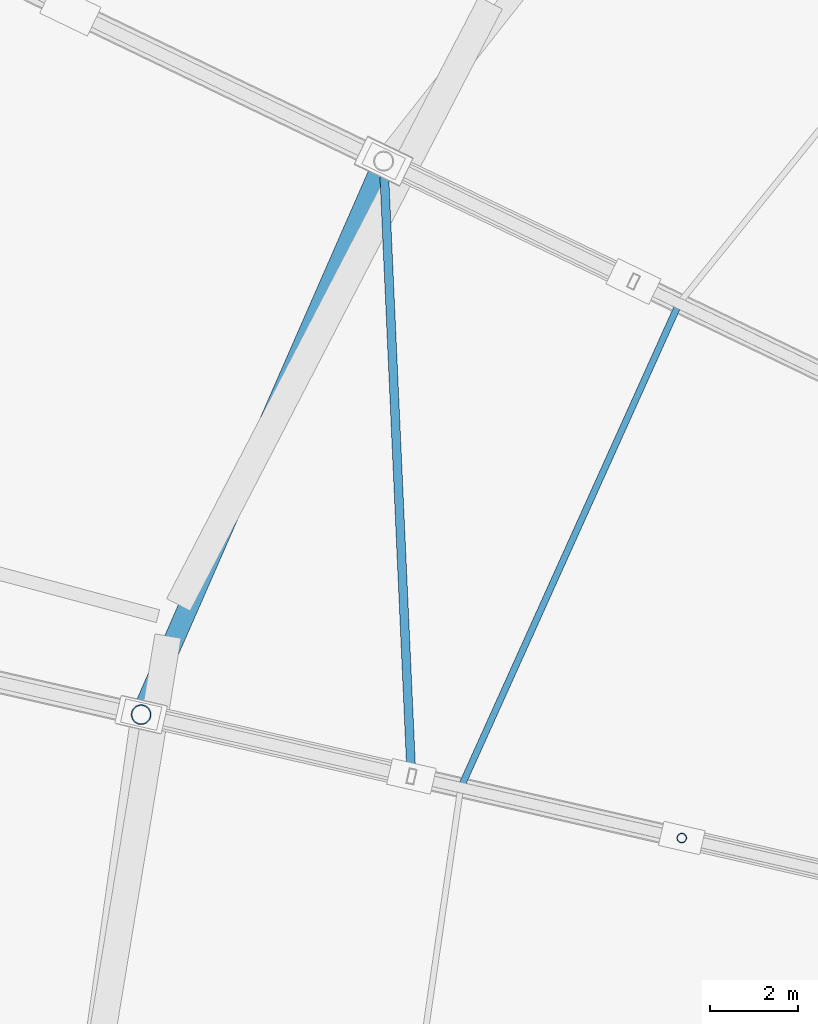
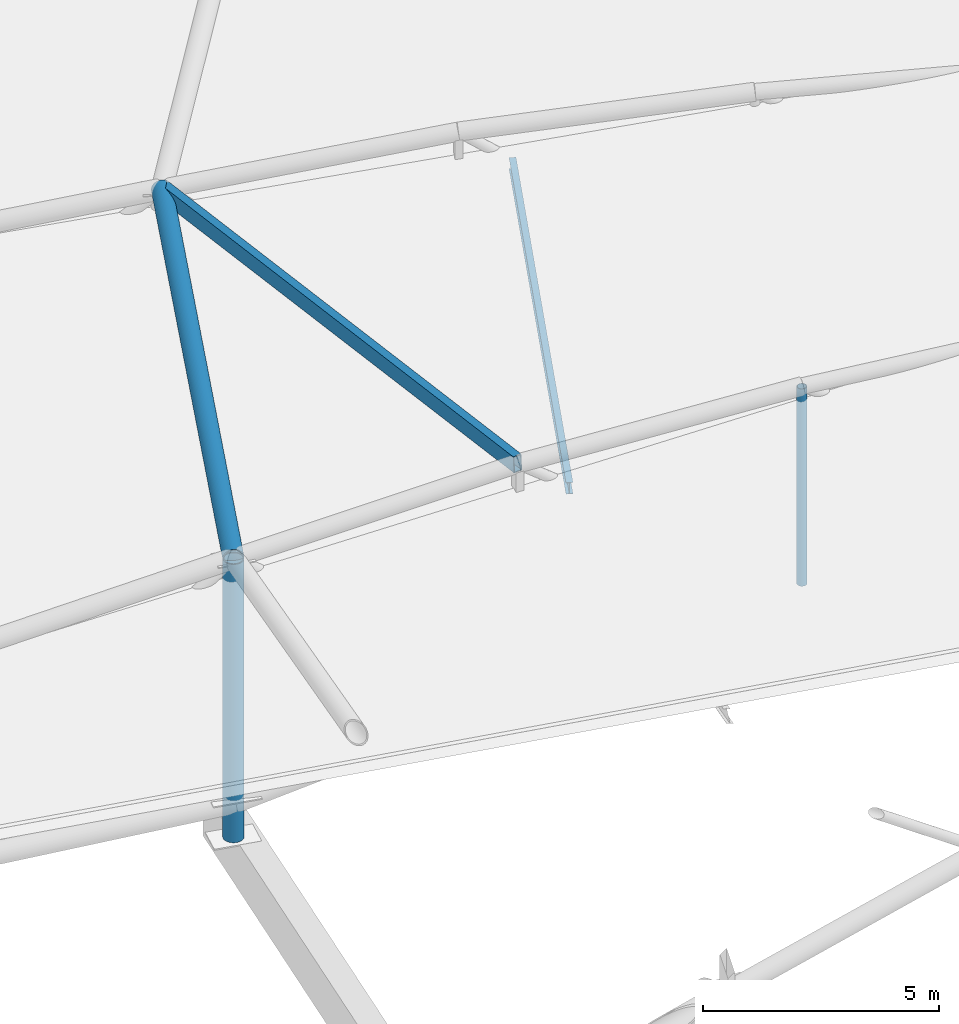
# One storey, part 32 of 108: 5 members.
"""IFC4 building model written with IfcOpenShell, lengths in metres."""

from ifc_helpers import new_model, si_unit, direction, frame, origin, origin_2d, place, context, subcontext, project, spatial, hollow_rectangle, hollow_circle, i_section, extrude, material, material_profile, profile_set, type_object, element, save


model = new_model("IFC4")

# Units and contexts
model_context = context("Model", 3, precision=1e-05, world=origin(), true_north=direction((0.0, 1.0)))
body_context = subcontext(model_context, "Body", "Model", "MODEL_VIEW")
ifc_project = project(units=[si_unit("LENGTHUNIT", "METRE"), si_unit("AREAUNIT", "SQUARE_METRE"), si_unit("VOLUMEUNIT", "CUBIC_METRE"), si_unit("PLANEANGLEUNIT", "RADIAN"), si_unit("MASSUNIT", "GRAM", prefix="KILO")], contexts=[model_context])

# Site, building, storey
site_placement = place(None, origin())
site = spatial("IfcSite", under=ifc_project, at=site_placement, CompositionType="ELEMENT")
building_placement = place(site_placement, origin())
building = spatial("IfcBuilding", under=site, at=building_placement, Name="Zevraka Park Crest Stadium", CompositionType="ELEMENT")
storey_placement = place(building_placement, frame((0.0, 0.0, 29.39990234375)))
storey = spatial("IfcBuildingStorey", under=building, at=storey_placement, Name="RF", CompositionType="ELEMENT", Elevation=29.39990234375)

# Members
ifc_material_1 = material(Name="Steel S355", Category="steel")
ifc_material_profile_1 = material_profile(ifc_material_1, i_section(OverallWidth=0.14990234375, OverallDepth=0.300048828125, WebThickness=0.007080078125, FlangeThickness=0.0107421875, at=origin_2d()), Name="IPE 300")
ifc_profile_set_1 = profile_set([ifc_material_profile_1], Name="Steel S355")
member_type_1 = type_object("IfcMemberType", Name="PR02", PredefinedType="PURLIN", material=ifc_profile_set_1)
member_1_placement = place(storey_placement, frame((51.589111328125, 114.583984375, 7.47314453125), z_axis=(-0.410939963153, -0.911662408287, 0.0), x_axis=(0.911662408287, -0.410939963153, 0.0)))
element("IfcMember", 1, at=member_1_placement, inside=storey, type_object=member_type_1, Name="Canopy Roof Purlin PR02 OUTER-13-2", PredefinedType="PURLIN", context=body_context, shape_type="SweptSolid", body=[
    extrude(i_section(OverallWidth=0.14990234375, OverallDepth=0.300048828125, WebThickness=0.007080078125, FlangeThickness=0.0107421875, at=origin_2d()), origin(), (0.0, 0.0, 1.0), 12.068115234375),
])
ifc_material_2 = material(Name="Steel S355", Category="steel")
ifc_material_profile_2 = material_profile(ifc_material_2, hollow_circle(Radius=0.228515625, WallThickness=0.02490234375, at=origin_2d()), Name="CHS 457.0x25")
ifc_profile_set_2 = profile_set([ifc_material_profile_2], Name="Steel S355")
member_type_2 = type_object("IfcMemberType", Name="TC02", PredefinedType="CHORD", material=ifc_profile_set_2)
member_2_placement = place(storey_placement, frame((39.367919921875, 105.239990234375, 0.0), z_axis=(0.0, 0.0, 1.0), x_axis=(-0.974916814618, 0.222569549971, 0.0)))
element("IfcMember", 2, at=member_2_placement, inside=storey, type_object=member_type_2, Name="Roof Truss Anchor Strut TC02 T14-2", PredefinedType="CHORD", context=body_context, shape_type="SweptSolid", body=[
    extrude(hollow_circle(Radius=0.228515625, WallThickness=0.02490234375, at=origin_2d()), origin(), (0.0, 0.0, 1.0), 7.2001953125),
])
member_3_placement = place(storey_placement, frame((44.8779296875, 117.81591796875, 7.2001953125), z_axis=(-0.401310361538, -0.915942134484, 0.0), x_axis=(0.915942134484, -0.401310361538, 0.0)))
element("IfcMember", 3, at=member_3_placement, inside=storey, type_object=member_type_2, Name="Roof Main Bowl-Rim Ring Chord TC02 13", PredefinedType="CHORD", context=body_context, shape_type="SweptSolid", body=[
    extrude(hollow_circle(Radius=0.228515625, WallThickness=0.02490234375, at=origin_2d()), origin(), (0.0, 0.0, 1.0), 13.72998046875),
])
ifc_material_3 = material(Name="Steel S355", Category="steel")
ifc_material_profile_3 = material_profile(ifc_material_3, hollow_circle(Radius=0.109619140625, WallThickness=0.010009765625, at=origin_2d()), Name="CHS 219.1x10")
ifc_profile_set_3 = profile_set([ifc_material_profile_3], Name="Steel S355")
member_type_3 = type_object("IfcMemberType", Name="WB02", PredefinedType="BRACE", material=ifc_profile_set_3)
member_4_placement = place(storey_placement, frame((51.652099609375, 102.43603515625, 3.9501953125), z_axis=(0.0, 0.0, 1.0), x_axis=(-0.974916814618, 0.222569549971, 0.0)))
element("IfcMember", 4, at=member_4_placement, inside=storey, type_object=member_type_3, Name="Roof Truss Web Post WB02 T14-4", PredefinedType="BRACE", context=body_context, shape_type="SweptSolid", body=[
    extrude(hollow_circle(Radius=0.109619140625, WallThickness=0.010009765625, at=origin_2d()), origin(), (0.0, 0.0, 1.0), 5.099853515625),
])
ifc_material_4 = material(Name="Steel S355", Category="steel")
ifc_material_profile_4 = material_profile(ifc_material_4, hollow_rectangle(XDim=0.199951171875, YDim=0.39990234375, WallThickness=0.01611328125, at=origin_2d()), Name="RHS 400x200x16")
ifc_profile_set_4 = profile_set([ifc_material_profile_4], Name="Steel S355")
member_type_4 = type_object("IfcMemberType", Name="WB06", PredefinedType="BRACE", material=ifc_profile_set_4)
member_5_placement = place(storey_placement, frame((44.8779296875, 117.81591796875, 7.2001953125), z_axis=(0.045021610298, -0.995622740833, 0.081904899384), x_axis=(0.998979161537, 0.045173386125, 0.0)))
element("IfcMember", 5, at=member_5_placement, inside=storey, type_object=member_type_4, Name="Canopy Roof Wind Brace WB06 13", PredefinedType="BRACE", context=body_context, shape_type="SweptSolid", body=[
    extrude(hollow_rectangle(XDim=0.199951171875, YDim=0.39990234375, WallThickness=0.01611328125, at=origin_2d()), origin(), (0.0, 0.0, 1.0), 14.03955078125),
])

save(model, "model.ifc")
